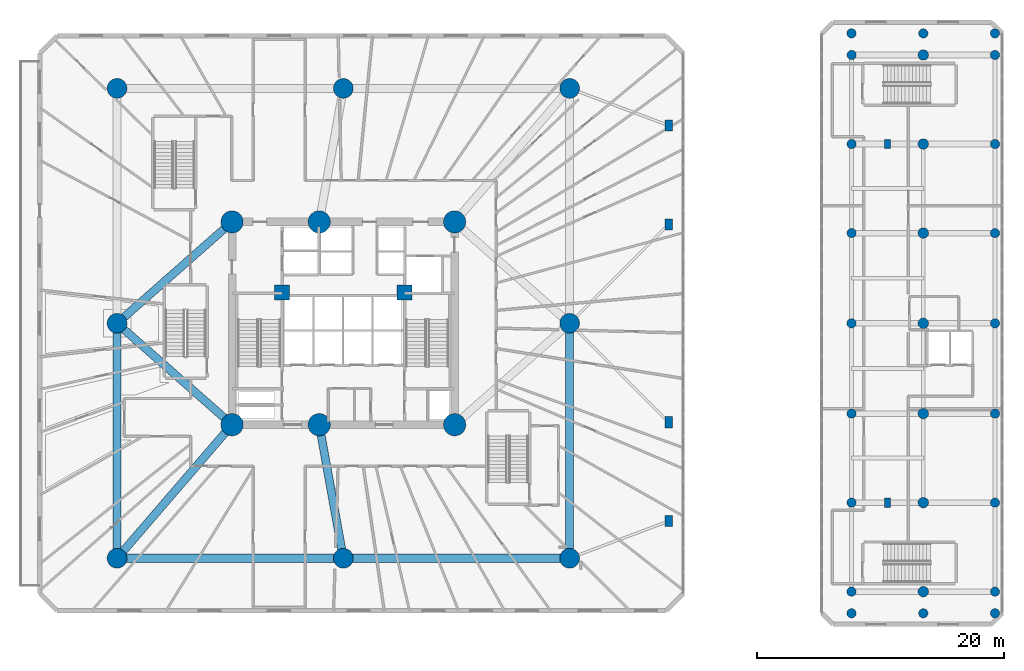
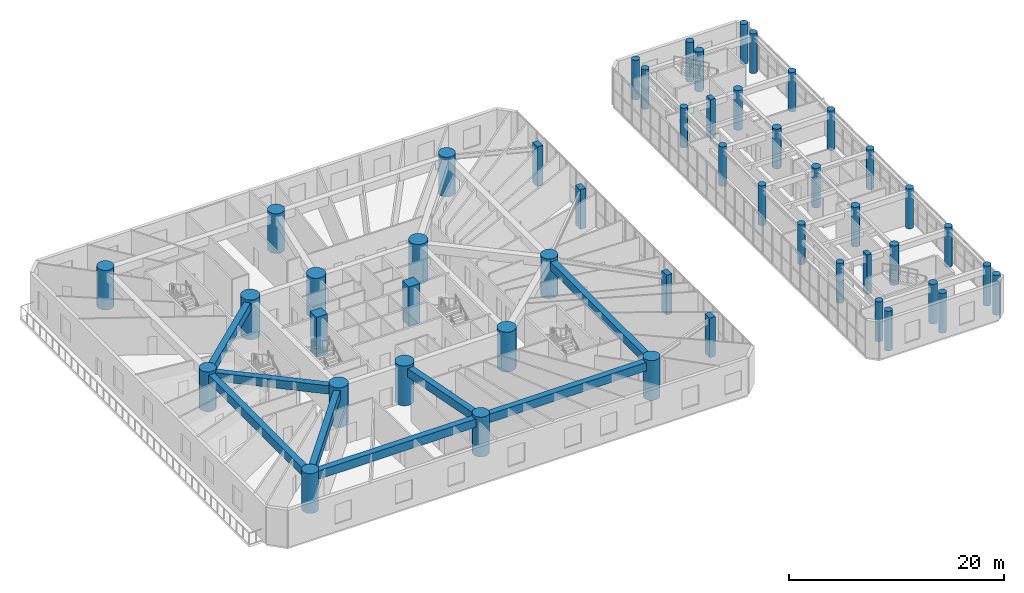
# One storey, part 1 of 26: 49 columns, 8 beams.
"""IFC4 building model written with IfcOpenShell, lengths in metres."""

from ifc_helpers import new_model, si_unit, direction, frame, origin, origin_with_axes, origin_2d, place, context, subcontext, project, spatial, rectangle, circle, extrude, source, transform, mapped, material, material_profile, profile_set, type_object, element, save


model = new_model("IFC4")

# Units and contexts
model_context = context("Model", 3, precision=1e-05, world=origin(), true_north=direction((0.0, 1.0)))
body_context = subcontext(model_context, "Body", "Model", "MODEL_VIEW")
ifc_project = project(units=[si_unit("LENGTHUNIT", "METRE"), si_unit("AREAUNIT", "SQUARE_METRE"), si_unit("VOLUMEUNIT", "CUBIC_METRE"), si_unit("PLANEANGLEUNIT", "RADIAN"), si_unit("MASSUNIT", "GRAM", prefix="KILO")], contexts=[model_context])

# Site, building, storey
site_placement = place(None, origin())
site = spatial("IfcSite", under=ifc_project, at=site_placement, CompositionType="ELEMENT")
building_placement = place(site_placement, origin())
building = spatial("IfcBuilding", under=site, at=building_placement, Name="Karkom Vertical University and Central Library", CompositionType="ELEMENT")
storey_placement = place(building_placement, frame((0.0, 0.0, 9.0)))
storey = spatial("IfcBuildingStorey", under=building, at=storey_placement, Name="L02", CompositionType="ELEMENT", Elevation=9.0)

# Columns
ifc_material_1 = material(Name="Concrete C40/50", Category="concrete")
ifc_material_profile_1 = material_profile(ifc_material_1, circle(Radius=0.375, at=origin_2d()), Name="RC-D750")
ifc_profile_set_1 = profile_set([ifc_material_profile_1], Name="Concrete C40/50")
column_type_1 = type_object("IfcColumnType", Name="STR-COL-C-LB2", PredefinedType="COLUMN", material=ifc_profile_set_1)
shared_shape_1 = source(origin_with_axes(), body_context, "Body", "SweptSolid", [
    extrude(circle(Radius=0.375, at=origin_2d()), origin(), (0.0, 0.0, 1.0), 4.5),
])
for number, where, z_axis, x_axis, name in (
    (1, (69.60009765625, 3.050048828125, 0.0), (0.0, 0.0, 1.0), (1.0, 0.0, 0.0), "Level 02 Library Vault End Column"),
    (2, (69.60009765625, 49.949951171875, 0.0), (0.0, 0.0, 1.0), (1.0, 0.0, 0.0), "Level 02 Library Vault End Column"),
    (3, (75.39990234375, 3.050048828125, 0.0), (0.0, 0.0, 1.0), (1.0, 0.0, 0.0), "Level 02 Library Vault End Column"),
    (4, (75.39990234375, 49.949951171875, 0.0), (0.0, 0.0, 1.0), (1.0, 0.0, 0.0), "Level 02 Library Vault End Column"),
    (5, (81.199951171875, 3.050048828125, 0.0), (0.0, 0.0, 1.0), (1.0, 0.0, 0.0), "Level 02 Library Vault End Column"),
    (6, (81.199951171875, 49.949951171875, 0.0), (0.0, 0.0, 1.0), (1.0, 0.0, 0.0), "Level 02 Library Vault End Column"),
    (7, (69.60009765625, 4.800048828125, 0.0), (0.0, 0.0, 1.0), (1.0, 0.0, 0.0), "Level 02 Central Library Column LC-1-1"),
    (8, (69.60009765625, 12.0, 0.0), (0.0, 0.0, 1.0), (1.0, 0.0, 0.0), "Level 02 Central Library Column LC-1-2"),
    (9, (69.60009765625, 19.199951171875, 0.0), (0.0, 0.0, 1.0), (1.0, 0.0, 0.0), "Level 02 Central Library Column LC-1-3"),
    (10, (69.60009765625, 26.5, 0.0), (0.0, 0.0, 1.0), (1.0, 0.0, 0.0), "Level 02 Central Library Column LC-1-4"),
    (11, (69.60009765625, 33.800048828125, 0.0), (0.0, 0.0, 1.0), (1.0, 0.0, 0.0), "Level 02 Central Library Column LC-1-5"),
    (12, (69.60009765625, 41.0, 0.0), (0.0, 0.0, 1.0), (1.0, 0.0, 0.0), "Level 02 Central Library Column LC-1-6"),
    (13, (69.60009765625, 48.199951171875, 0.0), (0.0, 0.0, 1.0), (1.0, 0.0, 0.0), "Level 02 Central Library Column LC-1-7"),
    (14, (81.199951171875, 4.800048828125, 0.0), (0.0, 0.0, 1.0), (1.0, 0.0, 0.0), "Level 02 Central Library Column LC-3-1"),
    (15, (81.199951171875, 12.0, 0.0), (0.0, 0.0, 1.0), (1.0, 0.0, 0.0), "Level 02 Central Library Column LC-3-2"),
    (16, (81.199951171875, 19.199951171875, 0.0), (0.0, 0.0, 1.0), (1.0, 0.0, 0.0), "Level 02 Central Library Column LC-3-3"),
    (17, (81.199951171875, 26.5, 0.0), (0.0, 0.0, 1.0), (1.0, 0.0, 0.0), "Level 02 Central Library Column LC-3-4"),
    (18, (81.199951171875, 33.800048828125, 0.0), (0.0, 0.0, 1.0), (1.0, 0.0, 0.0), "Level 02 Central Library Column LC-3-5"),
    (19, (81.199951171875, 41.0, 0.0), (0.0, 0.0, 1.0), (1.0, 0.0, 0.0), "Level 02 Central Library Column LC-3-6"),
    (20, (81.199951171875, 48.199951171875, 0.0), (0.0, 0.0, 1.0), (1.0, 0.0, 0.0), "Level 02 Central Library Column LC-3-7"),
):
    element("IfcColumn", number, at=place(storey_placement, frame(where, z_axis=z_axis, x_axis=x_axis)), inside=storey, type_object=column_type_1, Name=name, PredefinedType="COLUMN", context=body_context, shape_type="MappedRepresentation", body=[
        mapped(shared_shape_1, transform((0.0, 0.0, 0.0), scale=1.0)),
    ])
ifc_material_2 = material(Name="Concrete C50/60", Category="concrete")
ifc_material_profile_2 = material_profile(ifc_material_2, circle(Radius=0.89990234375, at=origin_2d()), Name="CFT-D1800")
ifc_profile_set_2 = profile_set([ifc_material_profile_2], Name="Concrete C50/60")
column_type_2 = type_object("IfcColumnType", Name="STR-COL-C-SC1", PredefinedType="COLUMN", material=ifc_profile_set_2)
shared_shape_2 = source(origin_with_axes(), body_context, "Body", "SweptSolid", [
    extrude(circle(Radius=0.89990234375, at=origin_2d()), origin(), (0.0, 0.0, 1.0), 4.5),
])
for number, where, z_axis, x_axis, name in (
    (21, (19.5, 18.300048828125, 0.0), (0.0, 0.0, 1.0), (1.0, 0.0, 0.0), "Level 02 Spine Mega-Column SC-1"),
    (22, (26.550048828125, 18.300048828125, 0.0), (0.0, 0.0, 1.0), (1.0, 0.0, 0.0), "Level 02 Spine Mega-Column SC-2"),
    (23, (37.5, 18.300048828125, 0.0), (0.0, 0.0, 1.0), (1.0, 0.0, 0.0), "Level 02 Spine Mega-Column SC-3"),
    (24, (19.5, 34.699951171875, 0.0), (0.0, 0.0, 1.0), (1.0, 0.0, 0.0), "Level 02 Spine Mega-Column SC-4"),
    (25, (26.550048828125, 34.699951171875, 0.0), (0.0, 0.0, 1.0), (1.0, 0.0, 0.0), "Level 02 Spine Mega-Column SC-5"),
    (26, (37.5, 34.699951171875, 0.0), (0.0, 0.0, 1.0), (1.0, 0.0, 0.0), "Level 02 Spine Mega-Column SC-6"),
):
    element("IfcColumn", number, at=place(storey_placement, frame(where, z_axis=z_axis, x_axis=x_axis)), inside=storey, type_object=column_type_2, Name=name, PredefinedType="COLUMN", context=body_context, shape_type="MappedRepresentation", body=[
        mapped(shared_shape_2, transform((0.0, 0.0, 0.0), scale=1.0)),
    ])
ifc_material_profile_3 = material_profile(ifc_material_2, rectangle(XDim=1.199951171875, YDim=1.199951171875, at=origin_2d()), Name="RC-1200x1200")
ifc_profile_set_3 = profile_set([ifc_material_profile_3], Name="Concrete C50/60")
column_type_3 = type_object("IfcColumnType", Name="STR-COL-C-CC1", PredefinedType="COLUMN", material=ifc_profile_set_3)
shared_shape_3 = source(origin_with_axes(), body_context, "Body", "SweptSolid", [
    extrude(rectangle(XDim=1.199951171875, YDim=1.199951171875, at=origin_2d()), origin(), (0.0, 0.0, 1.0), 4.5),
])
for number, where, z_axis, x_axis, name in (
    (27, (23.550048828125, 29.0, 0.0), (0.0, 0.0, 1.0), (1.0, 0.0, 0.0), "Level 02 Core Node Column CC-1"),
    (28, (33.449951171875, 29.0, 0.0), (0.0, 0.0, 1.0), (1.0, 0.0, 0.0), "Level 02 Core Node Column CC-2"),
):
    element("IfcColumn", number, at=place(storey_placement, frame(where, z_axis=z_axis, x_axis=x_axis)), inside=storey, type_object=column_type_3, Name=name, PredefinedType="COLUMN", context=body_context, shape_type="MappedRepresentation", body=[
        mapped(shared_shape_3, transform((0.0, 0.0, 0.0), scale=1.0)),
    ])
ifc_material_3 = material(Name="Precast concrete C45/55", Category="concrete")
ifc_material_profile_4 = material_profile(ifc_material_3, rectangle(XDim=0.60009765625, YDim=0.89990234375, at=origin_2d()), Name="PIL-600x900")
ifc_profile_set_4 = profile_set([ifc_material_profile_4], Name="Precast concrete C45/55")
column_type_4 = type_object("IfcColumnType", Name="STR-COL-PL-ARC1", PredefinedType="PILASTER", material=ifc_profile_set_4)
shared_shape_4 = source(origin_with_axes(), body_context, "Body", "SweptSolid", [
    extrude(rectangle(XDim=0.60009765625, YDim=0.89990234375, at=origin_2d()), origin(), (0.0, 0.0, 1.0), 4.5),
])
for number, where, z_axis, x_axis, name in (
    (29, (54.800048828125, 10.5, 0.0), (0.0, 0.0, 1.0), (1.0, 0.0, 0.0), "Level 02 Podium Arcade Pilaster PIL-1"),
    (30, (54.800048828125, 18.5, 0.0), (0.0, 0.0, 1.0), (1.0, 0.0, 0.0), "Level 02 Podium Arcade Pilaster PIL-2"),
    (31, (54.800048828125, 34.5, 0.0), (0.0, 0.0, 1.0), (1.0, 0.0, 0.0), "Level 02 Podium Arcade Pilaster PIL-3"),
    (32, (54.800048828125, 42.5, 0.0), (0.0, 0.0, 1.0), (1.0, 0.0, 0.0), "Level 02 Podium Arcade Pilaster PIL-4"),
):
    element("IfcColumn", number, at=place(storey_placement, frame(where, z_axis=z_axis, x_axis=x_axis)), inside=storey, type_object=column_type_4, Name=name, PredefinedType="PILASTER", context=body_context, shape_type="MappedRepresentation", body=[
        mapped(shared_shape_4, transform((0.0, 0.0, 0.0), scale=1.0)),
    ])
ifc_material_4 = material(Name="Concrete C45/55", Category="concrete")
ifc_material_profile_5 = material_profile(ifc_material_4, circle(Radius=0.425048828125, at=origin_2d()), Name="RC-D850")
ifc_profile_set_5 = profile_set([ifc_material_profile_5], Name="Concrete C45/55")
column_type_5 = type_object("IfcColumnType", Name="STR-COL-C-LB1", PredefinedType="COLUMN", material=ifc_profile_set_5)
shared_shape_5 = source(origin_with_axes(), body_context, "Body", "SweptSolid", [
    extrude(circle(Radius=0.425048828125, at=origin_2d()), origin(), (0.0, 0.0, 1.0), 4.5),
])
for number, where, z_axis, x_axis, name in (
    (33, (75.39990234375, 4.800048828125, 0.0), (0.0, 0.0, 1.0), (1.0, 0.0, 0.0), "Level 02 Central Library Column LC-2-1"),
    (34, (75.39990234375, 12.0, 0.0), (0.0, 0.0, 1.0), (1.0, 0.0, 0.0), "Level 02 Central Library Column LC-2-2"),
    (35, (75.39990234375, 19.199951171875, 0.0), (0.0, 0.0, 1.0), (1.0, 0.0, 0.0), "Level 02 Central Library Column LC-2-3"),
    (36, (75.39990234375, 26.5, 0.0), (0.0, 0.0, 1.0), (1.0, 0.0, 0.0), "Level 02 Central Library Column LC-2-4"),
    (37, (75.39990234375, 33.800048828125, 0.0), (0.0, 0.0, 1.0), (1.0, 0.0, 0.0), "Level 02 Central Library Column LC-2-5"),
    (38, (75.39990234375, 41.0, 0.0), (0.0, 0.0, 1.0), (1.0, 0.0, 0.0), "Level 02 Central Library Column LC-2-6"),
    (39, (75.39990234375, 48.199951171875, 0.0), (0.0, 0.0, 1.0), (1.0, 0.0, 0.0), "Level 02 Central Library Column LC-2-7"),
):
    element("IfcColumn", number, at=place(storey_placement, frame(where, z_axis=z_axis, x_axis=x_axis)), inside=storey, type_object=column_type_5, Name=name, PredefinedType="COLUMN", context=body_context, shape_type="MappedRepresentation", body=[
        mapped(shared_shape_5, transform((0.0, 0.0, 0.0), scale=1.0)),
    ])
ifc_material_profile_6 = material_profile(ifc_material_2, circle(Radius=0.800048828125, at=origin_2d()), Name="CFT-D1600")
ifc_profile_set_6 = profile_set([ifc_material_profile_6], Name="Concrete C50/60")
column_type_6 = type_object("IfcColumnType", Name="STR-COL-C-SC2", PredefinedType="COLUMN", material=ifc_profile_set_6)
shared_shape_6 = source(origin_with_axes(), body_context, "Body", "SweptSolid", [
    extrude(circle(Radius=0.800048828125, at=origin_2d()), origin(), (0.0, 0.0, 1.0), 4.5),
])
for number, where, z_axis, x_axis, name in (
    (40, (10.199951171875, 7.5, 0.0), (0.0, 0.0, 1.0), (1.0, 0.0, 0.0), "Level 02 Podium Mega-Column PMC-1"),
    (41, (28.5, 7.5, 0.0), (0.0, 0.0, 1.0), (1.0, 0.0, 0.0), "Level 02 Podium Mega-Column PMC-2"),
    (42, (46.800048828125, 7.5, 0.0), (0.0, 0.0, 1.0), (1.0, 0.0, 0.0), "Level 02 Podium Mega-Column PMC-3"),
    (43, (10.199951171875, 26.5, 0.0), (0.0, 0.0, 1.0), (1.0, 0.0, 0.0), "Level 02 Podium Mega-Column PMC-4"),
    (44, (46.800048828125, 26.5, 0.0), (0.0, 0.0, 1.0), (1.0, 0.0, 0.0), "Level 02 Podium Mega-Column PMC-5"),
    (45, (10.199951171875, 45.5, 0.0), (0.0, 0.0, 1.0), (1.0, 0.0, 0.0), "Level 02 Podium Mega-Column PMC-6"),
    (46, (28.5, 45.5, 0.0), (0.0, 0.0, 1.0), (1.0, 0.0, 0.0), "Level 02 Podium Mega-Column PMC-7"),
    (47, (46.800048828125, 45.5, 0.0), (0.0, 0.0, 1.0), (1.0, 0.0, 0.0), "Level 02 Podium Mega-Column PMC-8"),
):
    element("IfcColumn", number, at=place(storey_placement, frame(where, z_axis=z_axis, x_axis=x_axis)), inside=storey, type_object=column_type_6, Name=name, PredefinedType="COLUMN", context=body_context, shape_type="MappedRepresentation", body=[
        mapped(shared_shape_6, transform((0.0, 0.0, 0.0), scale=1.0)),
    ])
ifc_material_profile_7 = material_profile(ifc_material_3, rectangle(XDim=0.5, YDim=0.75, at=origin_2d()), Name="PIL-500x750")
ifc_profile_set_7 = profile_set([ifc_material_profile_7], Name="Precast concrete C45/55")
column_type_7 = type_object("IfcColumnType", Name="STR-COL-PL-SKG1", PredefinedType="PILASTER", material=ifc_profile_set_7)
shared_shape_7 = source(origin_with_axes(), body_context, "Body", "SweptSolid", [
    extrude(rectangle(XDim=0.5, YDim=0.75, at=origin_2d()), origin(), (0.0, 0.0, 1.0), 4.5),
])
for number, where, z_axis, x_axis, name in (
    (48, (72.5, 12.0, 0.0), (0.0, 0.0, 1.0), (1.0, 0.0, 0.0), "Level 02 Library Reading Hall Pier Pilaster 1"),
    (49, (72.5, 41.0, 0.0), (0.0, 0.0, 1.0), (1.0, 0.0, 0.0), "Level 02 Library Reading Hall Pier Pilaster 2"),
):
    element("IfcColumn", number, at=place(storey_placement, frame(where, z_axis=z_axis, x_axis=x_axis)), inside=storey, type_object=column_type_7, Name=name, PredefinedType="PILASTER", context=body_context, shape_type="MappedRepresentation", body=[
        mapped(shared_shape_7, transform((0.0, 0.0, 0.0), scale=1.0)),
    ])

# Beams
ifc_material_profile_8 = material_profile(ifc_material_2, rectangle(XDim=0.64990234375, YDim=0.949951171875, at=origin_2d()), Name="RCG-650x950")
ifc_profile_set_8 = profile_set([ifc_material_profile_8], Name="Concrete C50/60")
beam_type = type_object("IfcBeamType", Name="STR-BM-BG-1", PredefinedType="USERDEFINED", material=ifc_profile_set_8)
shared_shape_8 = source(origin_with_axes(), body_context, "Body", "SweptSolid", [
    extrude(rectangle(XDim=0.64990234375, YDim=0.949951171875, at=origin_2d()), origin(), (0.0, 0.0, 1.0), 18.300048828125),
])
for number, where, z_axis, x_axis, name in (
    (50, (10.199951171875, 7.5, 3.72509765625), (1.0, 0.0, 0.0), (0.0, 1.0, 0.0), "Level 02 Podium Primary Girder 01"),
    (51, (28.5, 7.5, 3.72509765625), (1.0, 0.0, 0.0), (0.0, 1.0, 0.0), "Level 02 Podium Primary Girder 02"),
):
    element("IfcBeam", number, at=place(storey_placement, frame(where, z_axis=z_axis, x_axis=x_axis)), inside=storey, type_object=beam_type, Name=name, ObjectType="GIRDER", PredefinedType="USERDEFINED", context=body_context, shape_type="MappedRepresentation", body=[
        mapped(shared_shape_8, transform((0.0, 0.0, 0.0), scale=1.0)),
    ])
shared_shape_9 = source(origin_with_axes(), body_context, "Body", "SweptSolid", [
    extrude(rectangle(XDim=0.64990234375, YDim=0.949951171875, at=origin_2d()), origin(), (0.0, 0.0, 1.0), 19.0),
])
for number, where, z_axis, x_axis, name in (
    (52, (10.199951171875, 7.5, 3.72509765625), (0.0, 1.0, 0.0), (-1.0, 0.0, 0.0), "Level 02 Podium Primary Girder 03"),
    (53, (46.800048828125, 7.5, 3.72509765625), (0.0, 1.0, 0.0), (-1.0, 0.0, 0.0), "Level 02 Podium Primary Girder 05"),
):
    element("IfcBeam", number, at=place(storey_placement, frame(where, z_axis=z_axis, x_axis=x_axis)), inside=storey, type_object=beam_type, Name=name, ObjectType="GIRDER", PredefinedType="USERDEFINED", context=body_context, shape_type="MappedRepresentation", body=[
        mapped(shared_shape_9, transform((0.0, 0.0, 0.0), scale=1.0)),
    ])
shared_shape_10 = source(origin_with_axes(), body_context, "Body", "SweptSolid", [
    extrude(rectangle(XDim=0.64990234375, YDim=0.949951171875, at=origin_2d()), origin(), (0.0, 0.0, 1.0), 14.25244140625),
])
beam_1_placement = place(storey_placement, frame((10.199951171875, 7.5, 3.72509765625), z_axis=(0.652523408586, 0.757768567076, 0.0), x_axis=(-0.757768567076, 0.652523408586, 0.0)))
element("IfcBeam", 54, at=beam_1_placement, inside=storey, type_object=beam_type, Name="Level 02 Podium Primary Girder 09", ObjectType="GIRDER", PredefinedType="USERDEFINED", context=body_context, shape_type="MappedRepresentation", body=[
    mapped(shared_shape_10, transform((0.0, 0.0, 0.0), scale=1.0)),
])
shared_shape_11 = source(origin_with_axes(), body_context, "Body", "SweptSolid", [
    extrude(rectangle(XDim=0.64990234375, YDim=0.949951171875, at=origin_2d()), origin(), (0.0, 0.0, 1.0), 10.974609375),
])
beam_2_placement = place(storey_placement, frame((28.5, 7.5, 3.72509765625), z_axis=(-0.177677443813, 0.984088779511, 0.0), x_axis=(-0.984088779511, -0.177677443813, 0.0)))
element("IfcBeam", 55, at=beam_2_placement, inside=storey, type_object=beam_type, Name="Level 02 Podium Primary Girder 10", ObjectType="GIRDER", PredefinedType="USERDEFINED", context=body_context, shape_type="MappedRepresentation", body=[
    mapped(shared_shape_11, transform((0.0, 0.0, 0.0), scale=1.0)),
])
shared_shape_12 = source(origin_with_axes(), body_context, "Body", "SweptSolid", [
    extrude(rectangle(XDim=0.64990234375, YDim=0.949951171875, at=origin_2d()), origin(), (0.0, 0.0, 1.0), 12.398681640625),
])
for number, where, z_axis, x_axis, name in (
    (56, (10.199951171875, 26.5, 3.72509765625), (0.75007685274, -0.661350674743, 0.0), (0.661350674743, 0.75007685274, 0.0), "Level 02 Podium Primary Girder 15"),
    (57, (10.199951171875, 26.5, 3.72509765625), (0.75007685274, 0.661350674743, 0.0), (-0.661350674743, 0.75007685274, 0.0), "Level 02 Podium Primary Girder 16"),
):
    element("IfcBeam", number, at=place(storey_placement, frame(where, z_axis=z_axis, x_axis=x_axis)), inside=storey, type_object=beam_type, Name=name, ObjectType="GIRDER", PredefinedType="USERDEFINED", context=body_context, shape_type="MappedRepresentation", body=[
        mapped(shared_shape_12, transform((0.0, 0.0, 0.0), scale=1.0)),
    ])

save(model, "model.ifc")
